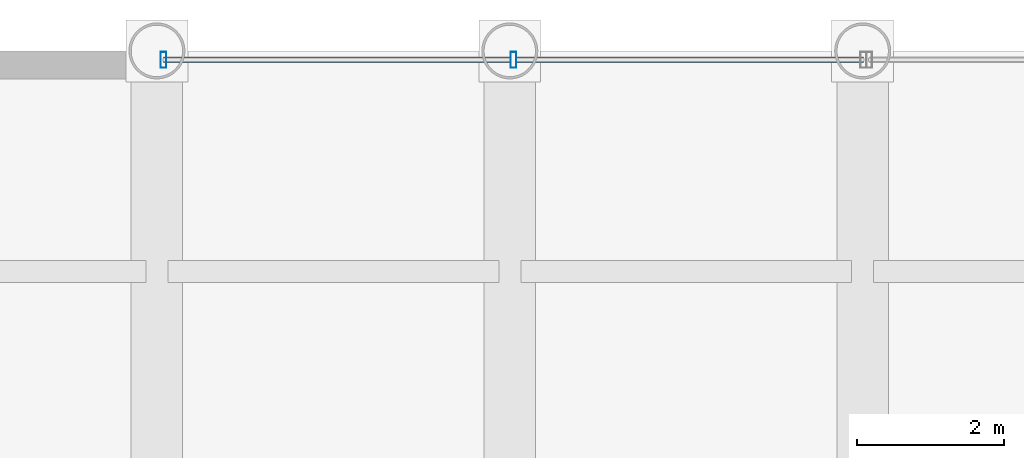
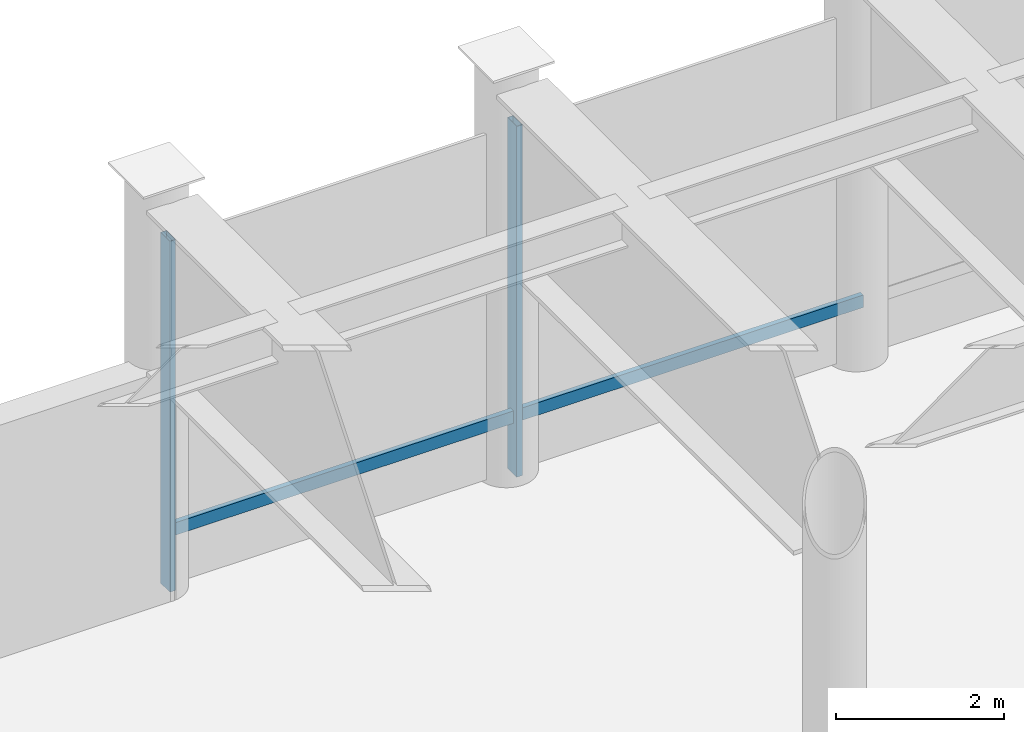
# One storey, part 10 of 26: 4 members, 1 element without a shape of its own.
"""IFC4 building model written with IfcOpenShell, lengths in metres."""

from ifc_helpers import new_model, si_unit, direction, frame, origin, origin_2d, place, context, subcontext, project, spatial, hollow_rectangle, extrude, material, layer, layer_set, material_profile, profile_set, type_object, element, aggregate, save


model = new_model("IFC4")

# Units and contexts
model_context = context("Model", 3, precision=1e-05, world=origin(), true_north=direction((0.0, 1.0)))
body_context = subcontext(model_context, "Body", "Model", "MODEL_VIEW")
ifc_project = project(units=[si_unit("LENGTHUNIT", "METRE"), si_unit("AREAUNIT", "SQUARE_METRE"), si_unit("VOLUMEUNIT", "CUBIC_METRE"), si_unit("PLANEANGLEUNIT", "RADIAN"), si_unit("MASSUNIT", "GRAM", prefix="KILO")], contexts=[model_context])

# Site, building, storey
site_placement = place(None, origin())
site = spatial("IfcSite", under=ifc_project, at=site_placement, CompositionType="ELEMENT")
building_placement = place(site_placement, origin())
building = spatial("IfcBuilding", under=site, at=building_placement, Name="Kallvorn Hotel Tower", CompositionType="ELEMENT")
storey_placement = place(building_placement, frame((0.0, 0.0, 6.0)))
storey = spatial("IfcBuildingStorey", under=building, at=storey_placement, Name="L01", CompositionType="ELEMENT", Elevation=6.0)

# Curtain wall, members
ifc_material_1 = material(Name="Thermally broken black-anodised aluminium AA 6063-T6", Category="aluminium")
ifc_layer = layer(ifc_material_1, 0.239990234375)
ifc_layer_set = layer_set([ifc_layer], Name="CW_SYS_1_PODIUM_LOW")
curtain_wall_type = type_object("IfcCurtainWallType", Name="CW_SYS_1_PODIUM_LOW", PredefinedType="USERDEFINED", material=ifc_layer_set)
curtain_wall_placement = place(storey_placement, origin())
curtain_wall = element("IfcCurtainWall", 1, at=curtain_wall_placement, inside=storey, type_object=curtain_wall_type, Name="L01 Dark-Glass Curtain Wall CW-L01-N1", ObjectType="UNITISED CURTAIN WALL", PredefinedType="USERDEFINED")
ifc_material_2 = material(Name="Thermally broken black-anodised aluminium AA 6063-T6", Category="aluminium")
ifc_material_profile_1 = material_profile(ifc_material_2, hollow_rectangle(XDim=0.080078125, YDim=0.219970703125, WallThickness=0.0048828125, at=origin_2d()), Name="MUL 220x80")
ifc_profile_set_1 = profile_set([ifc_material_profile_1], Name="Thermally broken black-anodised aluminium AA 6063-T6")
member_type_1 = type_object("IfcMemberType", Name="CW_MULLION_220x80", PredefinedType="MULLION", material=ifc_profile_set_1)
member_1_placement = place(storey_placement, frame((-14.31005859375, 26.8798828125, 0.02001953125), z_axis=(0.0, 0.0, 1.0), x_axis=(1.0, 0.0, 0.0)))
member_1 = element("IfcMember", 2, at=member_1_placement, type_object=member_type_1, Name="CW-L01-N1 Mullion 00", PredefinedType="MULLION", context=body_context, shape_type="SweptSolid", body=[
    extrude(hollow_rectangle(XDim=0.080078125, YDim=0.219970703125, WallThickness=0.0048828125, at=origin_2d()), origin(), (0.0, 0.0, 1.0), 5.090087890625),
])
member_2_placement = place(storey_placement, frame((-9.550048828125, 26.8798828125, 0.02001953125), z_axis=(0.0, 0.0, 1.0), x_axis=(1.0, 0.0, 0.0)))
member_2 = element("IfcMember", 3, at=member_2_placement, type_object=member_type_1, Name="CW-L01-N1 Mullion 01", PredefinedType="MULLION", context=body_context, shape_type="SweptSolid", body=[
    extrude(hollow_rectangle(XDim=0.080078125, YDim=0.219970703125, WallThickness=0.0048828125, at=origin_2d()), origin(), (0.0, 0.0, 1.0), 5.090087890625),
])
ifc_material_3 = material(Name="Thermally broken black-anodised aluminium AA 6063-T6", Category="aluminium")
ifc_material_profile_2 = material_profile(ifc_material_3, hollow_rectangle(XDim=0.070068359375, YDim=0.179931640625, WallThickness=0.00390625, at=origin_2d()), Name="TRN 180x70")
ifc_profile_set_2 = profile_set([ifc_material_profile_2], Name="Thermally broken black-anodised aluminium AA 6063-T6")
member_type_2 = type_object("IfcMemberType", Name="CW_TRANSOM_180x70", PredefinedType="USERDEFINED", material=ifc_profile_set_2)
member_3_placement = place(storey_placement, frame((-14.31005859375, 26.8798828125, 0.85009765625), z_axis=(1.0, 0.0, 0.0), x_axis=(0.0, 1.0, 0.0)))
member_3 = element("IfcMember", 4, at=member_3_placement, type_object=member_type_2, Name="CW-L01-N1 Transom 00M", ObjectType="TRANSOM", PredefinedType="USERDEFINED", context=body_context, shape_type="SweptSolid", body=[
    extrude(hollow_rectangle(XDim=0.070068359375, YDim=0.179931640625, WallThickness=0.00390625, at=origin_2d()), origin(), (0.0, 0.0, 1.0), 4.719970703125),
])
member_4_placement = place(storey_placement, frame((-9.510009765625, 26.8798828125, 0.85009765625), z_axis=(1.0, 0.0, 0.0), x_axis=(0.0, 1.0, 0.0)))
member_4 = element("IfcMember", 5, at=member_4_placement, type_object=member_type_2, Name="CW-L01-N1 Transom 01M", ObjectType="TRANSOM", PredefinedType="USERDEFINED", context=body_context, shape_type="SweptSolid", body=[
    extrude(hollow_rectangle(XDim=0.070068359375, YDim=0.179931640625, WallThickness=0.00390625, at=origin_2d()), origin(), (0.0, 0.0, 1.0), 4.719970703125),
])
aggregate(curtain_wall, [member_1, member_2, member_3, member_4])

save(model, "model.ifc")
